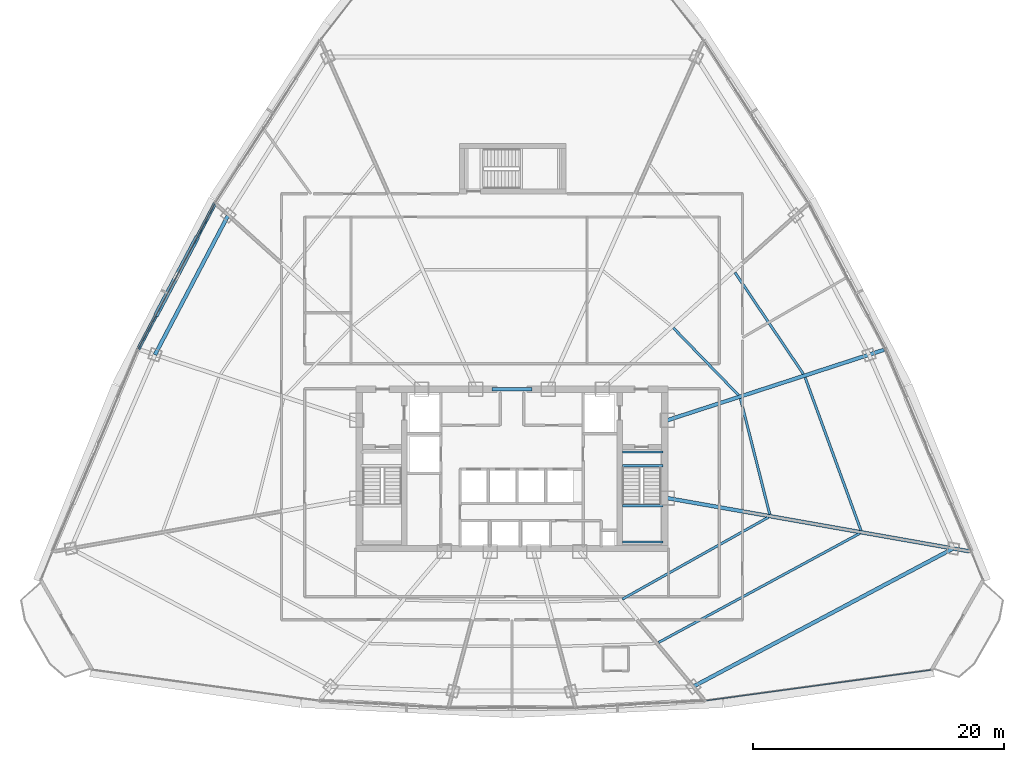
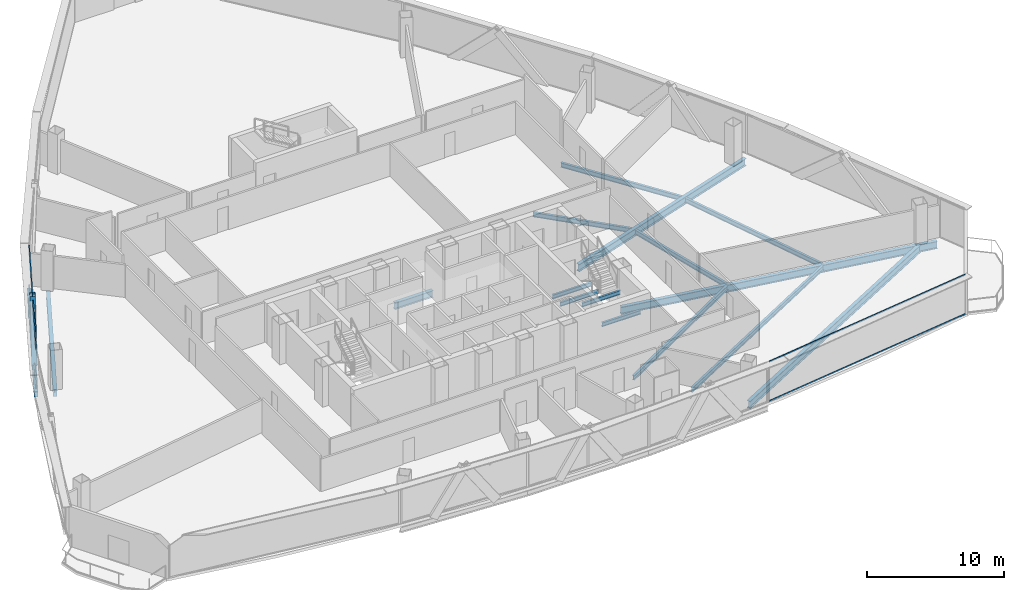
# One storey, part 15 of 36: 16 beams, 6 members, 2 elements without a shape of their own.
"""IFC4 building model written with IfcOpenShell, lengths in metres."""

from ifc_helpers import new_model, si_unit, direction, frame, origin, origin_2d, place, context, subcontext, project, spatial, hollow_rectangle, i_section, extrude, source, transform, mapped, material, layer, layer_set, material_profile, profile_set, type_object, element, aggregate, save


model = new_model("IFC4")

# Units and contexts
model_context = context("Model", 3, precision=1e-05, world=origin(), true_north=direction((0.0, 1.0)))
body_context = subcontext(model_context, "Body", "Model", "MODEL_VIEW")
ifc_project = project(units=[si_unit("LENGTHUNIT", "METRE"), si_unit("AREAUNIT", "SQUARE_METRE"), si_unit("VOLUMEUNIT", "CUBIC_METRE"), si_unit("PLANEANGLEUNIT", "RADIAN"), si_unit("MASSUNIT", "GRAM", prefix="KILO"), si_unit("THERMODYNAMICTEMPERATUREUNIT", "KELVIN"), si_unit("POWERUNIT", "WATT")], contexts=[model_context])

# Site, building, storey
site_placement = place(None, origin())
site = spatial("IfcSite", under=ifc_project, at=site_placement, CompositionType="ELEMENT")
building_placement = place(site_placement, origin())
building = spatial("IfcBuilding", under=site, at=building_placement, Name="Yunzhuo Pagoda Commons", CompositionType="ELEMENT")
storey_placement = place(building_placement, frame((0.0, 0.0, 211.360107421875)))
storey = spatial("IfcBuildingStorey", under=building, at=storey_placement, Name="L53", CompositionType="ELEMENT", Elevation=211.360107421875)

# Beams
ifc_material_1 = material(Name="Structural steel Q355B", Category="steel")
ifc_material_profile_1 = material_profile(ifc_material_1, i_section(OverallWidth=0.175048828125, OverallDepth=0.35009765625, WebThickness=0.007080078125, FlangeThickness=0.010986328125, at=origin_2d()), Name="Structural steel Q355B")
ifc_profile_set_1 = profile_set([ifc_material_profile_1], Name="Structural steel Q355B")
beam_type_1 = type_object("IfcBeamType", Name="B-JS2 Joist HN 350x175x7x11", PredefinedType="JOIST", material=ifc_profile_set_1)
shared_shape_1 = source(origin(), body_context, "Body", "SweptSolid", [
    extrude(i_section(OverallWidth=0.175048828125, OverallDepth=0.35009765625, WebThickness=0.007080078125, FlangeThickness=0.010986328125, at=origin_2d()), origin(), (0.0, 0.0, 1.0), 3.25),
])
for number, where, z_axis, x_axis, name in (
    (1, (56.800048828125, 28.0, 1.52490234375), (1.0, 0.0, 0.0), (0.0, 1.0, 0.0), "L53 ST2 landing support beam 59A"),
    (2, (56.800048828125, 30.89990234375, 1.52490234375), (1.0, 0.0, 0.0), (0.0, 1.0, 0.0), "L53 ST2 landing support beam 59B"),
    (3, (56.800048828125, 34.10009765625, -0.375), (1.0, 0.0, 0.0), (0.0, 1.0, 0.0), "L53 ST2 landing support beam 157A"),
    (4, (56.800048828125, 35.199951171875, -0.375), (1.0, 0.0, 0.0), (0.0, 1.0, 0.0), "L53 ST2 landing support beam 157B"),
):
    element("IfcBeam", number, at=place(storey_placement, frame(where, z_axis=z_axis, x_axis=x_axis)), inside=storey, type_object=beam_type_1, Name=name, PredefinedType="JOIST", context=body_context, shape_type="MappedRepresentation", body=[
        mapped(shared_shape_1, transform((0.0, 0.0, 0.0), scale=1.0)),
    ])
ifc_material_2 = material(Name="Structural steel Q420B", Category="steel")
ifc_material_profile_2 = material_profile(ifc_material_2, i_section(OverallWidth=0.300048828125, OverallDepth=0.587890625, WebThickness=0.011962890625, FlangeThickness=0.02001953125, at=origin_2d()), Name="Structural steel Q420B")
ifc_profile_set_2 = profile_set([ifc_material_profile_2], Name="Structural steel Q420B")
beam_type_2 = type_object("IfcBeamType", Name="B-CPL Beam HM 588x300x12x20", PredefinedType="BEAM", material=ifc_profile_set_2)
shared_shape_2 = source(origin(), body_context, "Body", "SweptSolid", [
    extrude(i_section(OverallWidth=0.300048828125, OverallDepth=0.587890625, WebThickness=0.011962890625, FlangeThickness=0.02001953125, at=origin_2d()), origin(), (0.0, 0.0, 1.0), 3.2001953125),
])
beam_1_placement = place(storey_placement, frame((46.39990234375, 40.199951171875, -0.55419921875), z_axis=(1.0, 0.0, 0.0), x_axis=(0.0, 1.0, 0.0)))
element("IfcBeam", 5, at=beam_1_placement, inside=storey, type_object=beam_type_2, Name="L53 core coupling girder", PredefinedType="BEAM", context=body_context, shape_type="MappedRepresentation", body=[
    mapped(shared_shape_2, transform((0.0, 0.0, 0.0), scale=1.0)),
])
ifc_material_profile_3 = material_profile(ifc_material_1, i_section(OverallWidth=0.300048828125, OverallDepth=0.64990234375, WebThickness=0.012939453125, FlangeThickness=0.02197265625, at=origin_2d()), Name="Structural steel Q355B")
ifc_profile_set_3 = profile_set([ifc_material_profile_3], Name="Structural steel Q355B")
beam_type_3 = type_object("IfcBeamType", Name="B-RG2 Beam HN 650x300x13x22", PredefinedType="BEAM", material=ifc_profile_set_3)
shared_shape_3 = source(origin(), body_context, "Body", "SweptSolid", [
    extrude(i_section(OverallWidth=0.300048828125, OverallDepth=0.64990234375, WebThickness=0.012939453125, FlangeThickness=0.02197265625, at=origin_2d()), origin(), (0.0, 0.0, 1.0), 23.49365234375),
])
beam_2_placement = place(storey_placement, frame((62.461181640625, 16.4658203125, -0.585205078125), z_axis=(0.883016269865, 0.469342377325, 0.0), x_axis=(-0.469342377325, 0.883016269865, 0.0)))
element("IfcBeam", 6, at=beam_2_placement, inside=storey, type_object=beam_type_3, Name="L53 column-ring beam 4", PredefinedType="BEAM", context=body_context, shape_type="MappedRepresentation", body=[
    mapped(shared_shape_3, transform((0.0, 0.0, 0.0), scale=1.0)),
])
shared_shape_4 = source(origin(), body_context, "Body", "SweptSolid", [
    extrude(i_section(OverallWidth=0.300048828125, OverallDepth=0.64990234375, WebThickness=0.012939453125, FlangeThickness=0.02197265625, at=origin_2d()), origin(), (0.0, 0.0, 1.0), 12.576416015625),
])
beam_3_placement = place(storey_placement, frame((25.349365234375, 54.0947265625, -0.585205078125), z_axis=(-0.464676385233, -0.885480579689, 0.0), x_axis=(0.885480579689, -0.464676385233, 0.0)))
element("IfcBeam", 7, at=beam_3_placement, inside=storey, type_object=beam_type_3, Name="L53 column-ring beam 10", PredefinedType="BEAM", context=body_context, shape_type="MappedRepresentation", body=[
    mapped(shared_shape_4, transform((0.0, 0.0, 0.0), scale=1.0)),
])
ifc_material_profile_4 = material_profile(ifc_material_1, i_section(OverallWidth=0.199951171875, OverallDepth=0.39990234375, WebThickness=0.008056640625, FlangeThickness=0.012939453125, at=origin_2d()), Name="Structural steel Q355B")
ifc_profile_set_4 = profile_set([ifc_material_profile_4], Name="Structural steel Q355B")
beam_type_4 = type_object("IfcBeamType", Name="B-JS1 Joist HN 400x200x8x13", PredefinedType="JOIST", material=ifc_profile_set_4)
shared_shape_5 = source(origin(), body_context, "Body", "SweptSolid", [
    extrude(i_section(OverallWidth=0.199951171875, OverallDepth=0.39990234375, WebThickness=0.008056640625, FlangeThickness=0.012939453125, at=origin_2d()), origin(), (0.0, 0.0, 1.0), 13.372802734375),
])
beam_4_placement = place(storey_placement, frame((56.80859375, 23.445556640625, -0.460205078125), z_axis=(0.872150261016, 0.4892381038, 0.0), x_axis=(-0.4892381038, 0.872150261016, 0.0)))
element("IfcBeam", 8, at=beam_4_placement, inside=storey, type_object=beam_type_4, Name="L53 composite ring joist 1.4", PredefinedType="JOIST", context=body_context, shape_type="MappedRepresentation", body=[
    mapped(shared_shape_5, transform((0.0, 0.0, 0.0), scale=1.0)),
])
shared_shape_6 = source(origin(), body_context, "Body", "SweptSolid", [
    extrude(i_section(OverallWidth=0.199951171875, OverallDepth=0.39990234375, WebThickness=0.008056640625, FlangeThickness=0.012939453125, at=origin_2d()), origin(), (0.0, 0.0, 1.0), 18.27294921875),
])
beam_5_placement = place(storey_placement, frame((59.705322265625, 19.992431640625, -0.460205078125), z_axis=(0.879067821824, 0.476696721861, 0.0), x_axis=(-0.476696721861, 0.879067821824, 0.0)))
element("IfcBeam", 9, at=beam_5_placement, inside=storey, type_object=beam_type_4, Name="L53 composite ring joist 2.4", PredefinedType="JOIST", context=body_context, shape_type="MappedRepresentation", body=[
    mapped(shared_shape_6, transform((0.0, 0.0, 0.0), scale=1.0)),
])
shared_shape_7 = source(origin(), body_context, "Body", "SweptSolid", [
    extrude(i_section(OverallWidth=0.199951171875, OverallDepth=0.39990234375, WebThickness=0.008056640625, FlangeThickness=0.012939453125, at=origin_2d()), origin(), (0.0, 0.0, 1.0), 9.529052734375),
])
beam_6_placement = place(storey_placement, frame((68.5712890625, 30.219970703125, -0.460205078125), z_axis=(-0.245367921097, 0.969430030119, 0.0), x_axis=(-0.969430030119, -0.245367921097, 0.0)))
element("IfcBeam", 10, at=beam_6_placement, inside=storey, type_object=beam_type_4, Name="L53 composite ring joist 1.5", PredefinedType="JOIST", context=body_context, shape_type="MappedRepresentation", body=[
    mapped(shared_shape_7, transform((0.0, 0.0, 0.0), scale=1.0)),
])
shared_shape_8 = source(origin(), body_context, "Body", "SweptSolid", [
    extrude(i_section(OverallWidth=0.199951171875, OverallDepth=0.39990234375, WebThickness=0.008056640625, FlangeThickness=0.012939453125, at=origin_2d()), origin(), (0.0, 0.0, 1.0), 12.994873046875),
])
beam_7_placement = place(storey_placement, frame((75.85400390625, 28.928466796875, -0.460205078125), z_axis=(-0.342834977914, 0.939395645039, 0.0), x_axis=(-0.939395645039, -0.342834977914, 0.0)))
element("IfcBeam", 11, at=beam_7_placement, inside=storey, type_object=beam_type_4, Name="L53 composite ring joist 2.5", PredefinedType="JOIST", context=body_context, shape_type="MappedRepresentation", body=[
    mapped(shared_shape_8, transform((0.0, 0.0, 0.0), scale=1.0)),
])
shared_shape_9 = source(origin(), body_context, "Body", "SweptSolid", [
    extrude(i_section(OverallWidth=0.199951171875, OverallDepth=0.39990234375, WebThickness=0.008056640625, FlangeThickness=0.012939453125, at=origin_2d()), origin(), (0.0, 0.0, 1.0), 7.46826171875),
])
beam_8_placement = place(storey_placement, frame((66.08349609375, 39.725830078125, -0.460205078125), z_axis=(-0.696070782679, 0.717973164889, 0.0), x_axis=(-0.717973164889, -0.696070782679, 0.0)))
element("IfcBeam", 12, at=beam_8_placement, inside=storey, type_object=beam_type_4, Name="L53 composite ring joist 1.6", PredefinedType="JOIST", context=body_context, shape_type="MappedRepresentation", body=[
    mapped(shared_shape_9, transform((0.0, 0.0, 0.0), scale=1.0)),
])
shared_shape_10 = source(origin(), body_context, "Body", "SweptSolid", [
    extrude(i_section(OverallWidth=0.199951171875, OverallDepth=0.39990234375, WebThickness=0.008056640625, FlangeThickness=0.012939453125, at=origin_2d()), origin(), (0.0, 0.0, 1.0), 9.764892578125),
])
beam_9_placement = place(storey_placement, frame((71.255615234375, 41.4169921875, -0.460205078125), z_axis=(-0.558548425455, 0.829471914185, 0.0), x_axis=(-0.829471914185, -0.558548425455, 0.0)))
element("IfcBeam", 13, at=beam_9_placement, inside=storey, type_object=beam_type_4, Name="L53 composite ring joist 2.6", PredefinedType="JOIST", context=body_context, shape_type="MappedRepresentation", body=[
    mapped(shared_shape_10, transform((0.0, 0.0, 0.0), scale=1.0)),
])
shared_shape_11 = source(origin(), body_context, "Body", "SweptSolid", [
    extrude(i_section(OverallWidth=0.300048828125, OverallDepth=0.64990234375, WebThickness=0.012939453125, FlangeThickness=0.02197265625, at=origin_2d()), origin(), (0.0, 0.0, 1.0), 24.494873046875),
])
beam_10_placement = place(storey_placement, frame((84.522705078125, 27.260009765625, -0.585205078125), z_axis=(-0.984808332492, 0.173644891239, 0.0), x_axis=(-0.173644891239, -0.984808332492, 0.0)))
element("IfcBeam", 14, at=beam_10_placement, inside=storey, type_object=beam_type_3, Name="L53 radial floor girder F2C1", PredefinedType="BEAM", context=body_context, shape_type="MappedRepresentation", body=[
    mapped(shared_shape_11, transform((0.0, 0.0, 0.0), scale=1.0)),
])
shared_shape_12 = source(origin(), body_context, "Body", "SweptSolid", [
    extrude(i_section(OverallWidth=0.300048828125, OverallDepth=0.64990234375, WebThickness=0.012939453125, FlangeThickness=0.02197265625, at=origin_2d()), origin(), (0.0, 0.0, 1.0), 18.180908203125),
])
beam_11_placement = place(storey_placement, frame((77.69091796875, 43.34716796875, -0.585205078125), z_axis=(-0.951056960539, -0.309015627131, 0.0), x_axis=(0.309015627131, -0.951056960539, 0.0)))
element("IfcBeam", 15, at=beam_11_placement, inside=storey, type_object=beam_type_3, Name="L53 radial floor girder F2C2", PredefinedType="BEAM", context=body_context, shape_type="MappedRepresentation", body=[
    mapped(shared_shape_12, transform((0.0, 0.0, 0.0), scale=1.0)),
])
ifc_material_profile_5 = material_profile(ifc_material_1, i_section(OverallWidth=0.300048828125, OverallDepth=0.488037109375, WebThickness=0.010986328125, FlangeThickness=0.01806640625, at=origin_2d()), Name="Structural steel Q355B")
ifc_profile_set_5 = profile_set([ifc_material_profile_5], Name="Structural steel Q355B")
beam_type_5 = type_object("IfcBeamType", Name="B-SP1 Beam HM 488x300x11x18", PredefinedType="BEAM", material=ifc_profile_set_5)
shared_shape_13 = source(origin(), body_context, "Body", "SweptSolid", [
    extrude(i_section(OverallWidth=0.300048828125, OverallDepth=0.488037109375, WebThickness=0.010986328125, FlangeThickness=0.01806640625, at=origin_2d()), origin(), (0.0, 0.0, 1.0), 13.16357421875),
])
beam_12_placement = place(storey_placement, frame((24.298095703125, 55.041259765625, -0.504150390625), z_axis=(-0.466148454191, -0.884706515549, 0.0), x_axis=(0.884706515549, -0.466148454191, 0.0)))
element("IfcBeam", 16, at=beam_12_placement, inside=storey, type_object=beam_type_5, Name="L53 facade edge spandrel beam F3.2", PredefinedType="BEAM", context=body_context, shape_type="MappedRepresentation", body=[
    mapped(shared_shape_13, transform((0.0, 0.0, 0.0), scale=1.0)),
])

# Members
ifc_material_profile_6 = material_profile(ifc_material_1, hollow_rectangle(XDim=0.39990234375, YDim=0.719970703125, WallThickness=0.02392578125, at=origin_2d()), Name="Structural steel Q355B")
ifc_profile_set_6 = profile_set([ifc_material_profile_6], Name="Structural steel Q355B")
member_type_1 = type_object("IfcMemberType", Name="M-DL2 Brace BOX 720x400x24", PredefinedType="BRACE", material=ifc_profile_set_6)
shared_shape_14 = source(origin(), body_context, "Body", "SweptSolid", [
    extrude(hollow_rectangle(XDim=0.39990234375, YDim=0.719970703125, WallThickness=0.02392578125, at=origin_2d()), origin(), (0.0, 0.0, 1.0), 5.02685546875),
])
for number, where, z_axis, x_axis, name in (
    (17, (22.76416015625, 52.129638671875, -0.260009765625), (-0.305149727718, -0.579216242681, 0.755904880185), (0.884729871536, -0.466104124003, 0.0), "L53 facade diamond brace F3.2L"),
    (18, (19.69580078125, 46.306640625, -0.260009765625), (0.305246400148, 0.579166797416, 0.75590373459), (-0.884652558499, 0.466250845297, 0.0), "L53 facade diamond brace F3.2R"),
):
    element("IfcMember", number, at=place(storey_placement, frame(where, z_axis=z_axis, x_axis=x_axis)), inside=storey, type_object=member_type_1, Name=name, PredefinedType="BRACE", context=body_context, shape_type="MappedRepresentation", body=[
        mapped(shared_shape_14, transform((0.0, 0.0, 0.0), scale=1.0)),
    ])

# Curtain wall, members
ifc_material_3 = material(Name="Anodized aluminium 6063-T6", Category="aluminium")
ifc_layer = layer(ifc_material_3, 0.14990234375)
ifc_layer_set = layer_set([ifc_layer], Name="Anodized aluminium 6063-T6")
curtain_wall_type = type_object("IfcCurtainWallType", Name="CW-MID Mid-Zone Ribbon Curtain Wall", PredefinedType="NOTDEFINED", material=ifc_layer_set)
curtain_wall_1_placement = place(storey_placement, origin())
curtain_wall_1 = element("IfcCurtainWall", 19, at=curtain_wall_1_placement, inside=storey, type_object=curtain_wall_type, Name="L53 curtain wall CW-L53-F1B5", PredefinedType="NOTDEFINED")
ifc_material_profile_7 = material_profile(ifc_material_3, hollow_rectangle(XDim=0.054931640625, YDim=0.1298828125, WallThickness=0.00341796875, at=origin_2d()), Name="Anodized aluminium 6063-T6")
ifc_profile_set_7 = profile_set([ifc_material_profile_7], Name="Anodized aluminium 6063-T6")
member_type_2 = type_object("IfcMemberType", Name="CW-MID-T Transom RHS 130x55x3.5", PredefinedType="USERDEFINED", material=ifc_profile_set_7)
shared_shape_15 = source(origin(), body_context, "Body", "SweptSolid", [
    extrude(hollow_rectangle(XDim=0.054931640625, YDim=0.1298828125, WallThickness=0.00341796875, at=origin_2d()), origin(), (0.0, 0.0, 1.0), 18.055908203125),
])
member_1_placement = place(storey_placement, frame((63.542724609375, 15.3544921875, 0.02734375), z_axis=(0.990866089619, 0.134849517771, 0.0), x_axis=(-0.134849517771, 0.990866089619, 0.0)))
member_1 = element("IfcMember", 20, at=member_1_placement, type_object=member_type_2, Name="CW transom 1.1", ObjectType="TRANSOM", PredefinedType="USERDEFINED", context=body_context, shape_type="MappedRepresentation", body=[
    mapped(shared_shape_15, transform((0.0, 0.0, 0.0), scale=1.0)),
])
member_2_placement = place(storey_placement, frame((63.542724609375, 15.3544921875, 3.512451171875), z_axis=(0.990866089619, 0.134849517771, 0.0), x_axis=(-0.134849517771, 0.990866089619, 0.0)))
member_2 = element("IfcMember", 21, at=member_2_placement, type_object=member_type_2, Name="CW transom 1.2", ObjectType="TRANSOM", PredefinedType="USERDEFINED", context=body_context, shape_type="MappedRepresentation", body=[
    mapped(shared_shape_15, transform((0.0, 0.0, 0.0), scale=1.0)),
])
aggregate(curtain_wall_1, [member_1, member_2])

curtain_wall_2_placement = place(storey_placement, origin())
curtain_wall_2 = element("IfcCurtainWall", 22, at=curtain_wall_2_placement, inside=storey, type_object=curtain_wall_type, Name="L53 curtain wall CW-L53-F3B3", PredefinedType="NOTDEFINED")
shared_shape_16 = source(origin(), body_context, "Body", "SweptSolid", [
    extrude(hollow_rectangle(XDim=0.054931640625, YDim=0.1298828125, WallThickness=0.00341796875, at=origin_2d()), origin(), (0.0, 0.0, 1.0), 13.0439453125),
])
member_3_placement = place(storey_placement, frame((24.270263671875, 54.988037109375, 0.02734375), z_axis=(-0.466158312333, -0.884701321262, 0.0), x_axis=(0.884701321262, -0.466158312333, 0.0)))
member_3 = element("IfcMember", 23, at=member_3_placement, type_object=member_type_2, Name="CW transom 1.1", ObjectType="TRANSOM", PredefinedType="USERDEFINED", context=body_context, shape_type="MappedRepresentation", body=[
    mapped(shared_shape_16, transform((0.0, 0.0, 0.0), scale=1.0)),
])
member_4_placement = place(storey_placement, frame((24.270263671875, 54.988037109375, 3.512451171875), z_axis=(-0.466158312333, -0.884701321262, 0.0), x_axis=(0.884701321262, -0.466158312333, 0.0)))
member_4 = element("IfcMember", 24, at=member_4_placement, type_object=member_type_2, Name="CW transom 1.2", ObjectType="TRANSOM", PredefinedType="USERDEFINED", context=body_context, shape_type="MappedRepresentation", body=[
    mapped(shared_shape_16, transform((0.0, 0.0, 0.0), scale=1.0)),
])
aggregate(curtain_wall_2, [member_3, member_4])

save(model, "model.ifc")
